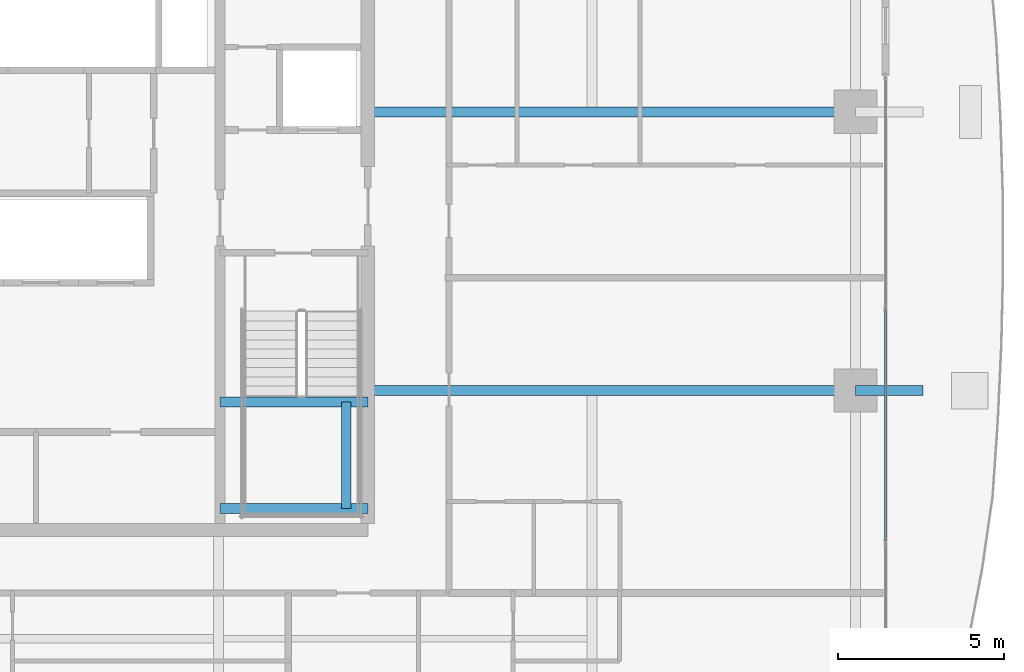
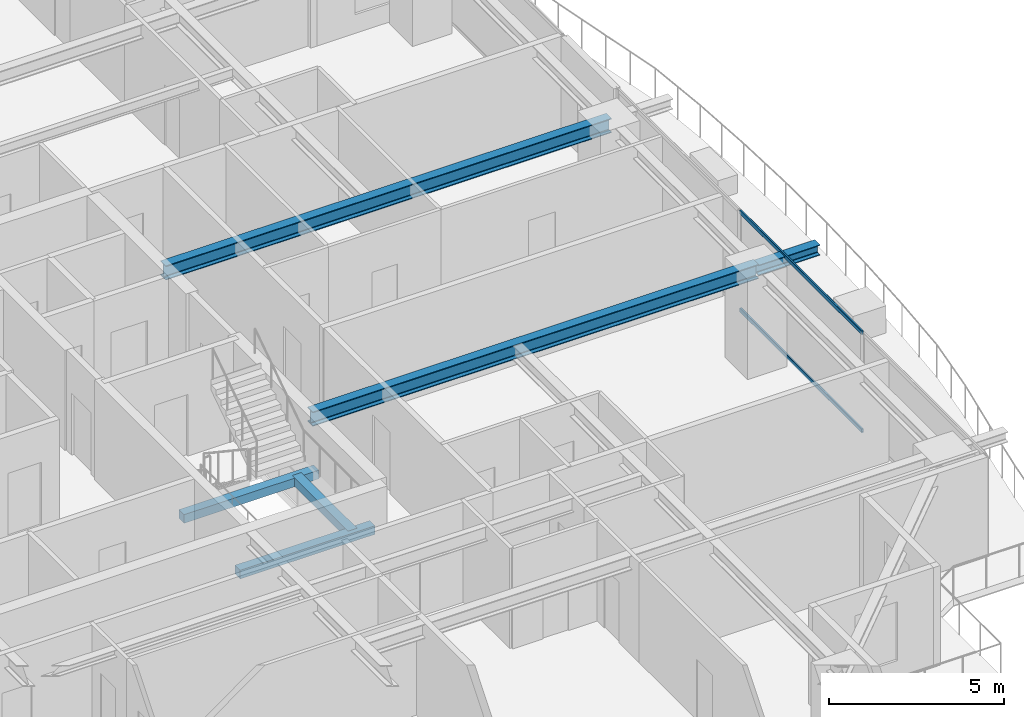
# One storey, part 13 of 34: 6 beams, 2 members, 1 element without a shape of its own.
"""IFC4 building model written with IfcOpenShell, lengths in metres."""

from ifc_helpers import new_model, si_unit, direction, frame, origin, origin_2d, place, context, subcontext, project, spatial, rectangle, hollow_rectangle, i_section, extrude, source, transform, mapped, material, layer, layer_set, material_profile, profile_set, type_object, element, aggregate, save


model = new_model("IFC4")

# Units and contexts
model_context = context("Model", 3, precision=1e-05, world=origin(), true_north=direction((0.0, 1.0)))
body_context = subcontext(model_context, "Body", "Model", "MODEL_VIEW")
ifc_project = project(units=[si_unit("LENGTHUNIT", "METRE"), si_unit("AREAUNIT", "SQUARE_METRE"), si_unit("VOLUMEUNIT", "CUBIC_METRE"), si_unit("PLANEANGLEUNIT", "RADIAN"), si_unit("MASSUNIT", "GRAM", prefix="KILO")], contexts=[model_context])

# Site, building, storey
site_placement = place(None, origin())
site = spatial("IfcSite", under=ifc_project, at=site_placement, CompositionType="ELEMENT")
building_placement = place(site_placement, origin())
building = spatial("IfcBuilding", under=site, at=building_placement, Name="Serunith Strait Residences", CompositionType="ELEMENT")
storey_placement = place(building_placement, frame((0.0, 0.0, 180.14990234375)))
storey = spatial("IfcBuildingStorey", under=building, at=storey_placement, Name="L45", CompositionType="ELEMENT", Elevation=180.14990234375)

# Beams
ifc_material_1 = material(Name="Steel S355J2", Category="steel")
ifc_material_profile_1 = material_profile(ifc_material_1, i_section(OverallWidth=0.300048828125, OverallDepth=0.5, WebThickness=0.014404296875, FlangeThickness=0.028076171875, FilletRadius=0.027099609375, at=origin_2d()), Name="HEB 500")
ifc_profile_set_1 = profile_set([ifc_material_profile_1], Name="Steel S355J2")
beam_type_1 = type_object("IfcBeamType", Name="BM-HEB500", PredefinedType="BEAM", material=ifc_profile_set_1)
shared_shape_1 = source(origin(), body_context, "Body", "SweptSolid", [
    extrude(i_section(OverallWidth=0.300048828125, OverallDepth=0.5, WebThickness=0.014404296875, FlangeThickness=0.028076171875, FilletRadius=0.027099609375, at=origin_2d()), origin(), (0.0, 0.0, 1.0), 14.7001953125),
])
for number, where, z_axis, x_axis, name in (
    (1, (41.39990234375, 21.0, 3.237060546875), (1.0, 0.0, 0.0), (0.0, 1.0, 0.0), "L45 Primary Floor Girder TC-E2"),
    (2, (41.39990234375, 29.39990234375, 3.237060546875), (1.0, 0.0, 0.0), (0.0, 1.0, 0.0), "L45 Primary Floor Girder TC-E3"),
):
    element("IfcBeam", number, at=place(storey_placement, frame(where, z_axis=z_axis, x_axis=x_axis)), inside=storey, type_object=beam_type_1, Name=name, PredefinedType="BEAM", context=body_context, shape_type="MappedRepresentation", body=[
        mapped(shared_shape_1, transform((0.0, 0.0, 0.0), scale=1.0)),
    ])
ifc_material_profile_2 = material_profile(ifc_material_1, i_section(OverallWidth=0.300048828125, OverallDepth=0.360107421875, WebThickness=0.012451171875, FlangeThickness=0.0224609375, FilletRadius=0.027099609375, at=origin_2d()), Name="HEB 360")
ifc_profile_set_2 = profile_set([ifc_material_profile_2], Name="Steel S355J2")
beam_type_2 = type_object("IfcBeamType", Name="BM-HEB360", PredefinedType="BEAM", material=ifc_profile_set_2)
shared_shape_2 = source(origin(), body_context, "Body", "SweptSolid", [
    extrude(i_section(OverallWidth=0.300048828125, OverallDepth=0.360107421875, WebThickness=0.012451171875, FlangeThickness=0.0224609375, FilletRadius=0.027099609375, at=origin_2d()), origin(), (0.0, 0.0, 1.0), 2.02978515625),
])
beam_1_placement = place(storey_placement, frame((56.10009765625, 21.0, 3.277099609375), z_axis=(1.0, 0.0, 0.0), x_axis=(0.0, 1.0, 0.0)))
element("IfcBeam", 3, at=beam_1_placement, inside=storey, type_object=beam_type_2, Name="L46 Cantilevered Balcony Rib TC-E2", PredefinedType="BEAM", context=body_context, shape_type="MappedRepresentation", body=[
    mapped(shared_shape_2, transform((0.0, 0.0, 0.0), scale=1.0)),
])
ifc_material_2 = material(Name="Concrete C60/75", Category="concrete")
ifc_material_profile_3 = material_profile(ifc_material_2, rectangle(XDim=0.300048828125, YDim=0.300048828125, at=origin_2d()), Name="RC 300x300")
ifc_profile_set_3 = profile_set([ifc_material_profile_3], Name="Concrete C60/75")
beam_type_3 = type_object("IfcBeamType", Name="BM-LAND-300x300", PredefinedType="BEAM", material=ifc_profile_set_3)
shared_shape_3 = source(origin(), body_context, "Body", "SweptSolid", [
    extrude(rectangle(XDim=0.300048828125, YDim=0.300048828125, at=origin_2d()), origin(), (0.0, 0.0, 1.0), 3.199951171875),
])
beam_2_placement = place(storey_placement, frame((40.75, 17.449951171875, 1.525146484375), z_axis=(0.0, 1.0, 0.0), x_axis=(-1.0, 0.0, 0.0)))
element("IfcBeam", 4, at=beam_2_placement, inside=storey, type_object=beam_type_3, Name="L45 ST-2 Landing Transverse Tie Beam", PredefinedType="BEAM", context=body_context, shape_type="MappedRepresentation", body=[
    mapped(shared_shape_3, transform((0.0, 0.0, 0.0), scale=1.0)),
])
shared_shape_4 = source(origin(), body_context, "Body", "SweptSolid", [
    extrude(rectangle(XDim=0.300048828125, YDim=0.300048828125, at=origin_2d()), origin(), (0.0, 0.0, 1.0), 4.449951171875),
])
for number, where, z_axis, x_axis, name in (
    (5, (36.949951171875, 17.449951171875, 1.525146484375), (1.0, 0.0, 0.0), (0.0, 1.0, 0.0), "L45 ST-2 Landing Support Beam 1"),
    (6, (36.949951171875, 20.64990234375, 1.525146484375), (1.0, 0.0, 0.0), (0.0, 1.0, 0.0), "L45 ST-2 Landing Support Beam 2"),
):
    element("IfcBeam", number, at=place(storey_placement, frame(where, z_axis=z_axis, x_axis=x_axis)), inside=storey, type_object=beam_type_3, Name=name, PredefinedType="BEAM", context=body_context, shape_type="MappedRepresentation", body=[
        mapped(shared_shape_4, transform((0.0, 0.0, 0.0), scale=1.0)),
    ])

# Curtain wall, members
ifc_material_3 = material(Name="Pale-Champagne Anodised Aluminium", Category="aluminium")
ifc_layer = layer(ifc_material_3, 0.199951171875, Name="Pale-Champagne Anodised Aluminium")
ifc_layer_set = layer_set([ifc_layer], Name="Pale-Champagne Anodised Aluminium")
curtain_wall_type = type_object("IfcCurtainWallType", Name="CW-SYS2", PredefinedType="NOTDEFINED", material=ifc_layer_set)
curtain_wall_placement = place(storey_placement, origin())
curtain_wall = element("IfcCurtainWall", 7, at=curtain_wall_placement, inside=storey, type_object=curtain_wall_type, Name="L45 E Unitised Fritted Curtain Wall", PredefinedType="NOTDEFINED")
ifc_material_profile_4 = material_profile(ifc_material_3, hollow_rectangle(XDim=0.06005859375, YDim=0.139892578125, WallThickness=0.00341796875, InnerFilletRadius=0.00537109375, OuterFilletRadius=0.0087890625, at=origin_2d()), Name="ALU 140x60x3.5")
ifc_profile_set_4 = profile_set([ifc_material_profile_4], Name="Pale-Champagne Anodised Aluminium")
member_type = type_object("IfcMemberType", Name="CW-SYS2-TRAN", PredefinedType="USERDEFINED", material=ifc_profile_set_4)
shared_shape_5 = source(origin(), body_context, "Body", "SweptSolid", [
    extrude(hollow_rectangle(XDim=0.06005859375, YDim=0.139892578125, WallThickness=0.00341796875, InnerFilletRadius=0.00537109375, OuterFilletRadius=0.0087890625, at=origin_2d()), origin(), (0.0, 0.0, 1.0), 6.96337890625),
])
member_1_placement = place(storey_placement, frame((57.0, 16.46826171875, 0.030029296875), z_axis=(0.0, 1.0, 0.0), x_axis=(-1.0, 0.0, 0.0)))
member_1 = element("IfcMember", 8, at=member_1_placement, type_object=member_type, Name="CW-2 transom 2.1", ObjectType="TRANSOM", PredefinedType="USERDEFINED", context=body_context, shape_type="MappedRepresentation", body=[
    mapped(shared_shape_5, transform((0.0, 0.0, 0.0), scale=1.0)),
])
member_2_placement = place(storey_placement, frame((57.0, 16.46826171875, 3.445068359375), z_axis=(0.0, 1.0, 0.0), x_axis=(-1.0, 0.0, 0.0)))
member_2 = element("IfcMember", 9, at=member_2_placement, type_object=member_type, Name="CW-2 transom 2.2", ObjectType="TRANSOM", PredefinedType="USERDEFINED", context=body_context, shape_type="MappedRepresentation", body=[
    mapped(shared_shape_5, transform((0.0, 0.0, 0.0), scale=1.0)),
])
aggregate(curtain_wall, [member_1, member_2])

save(model, "model.ifc")
